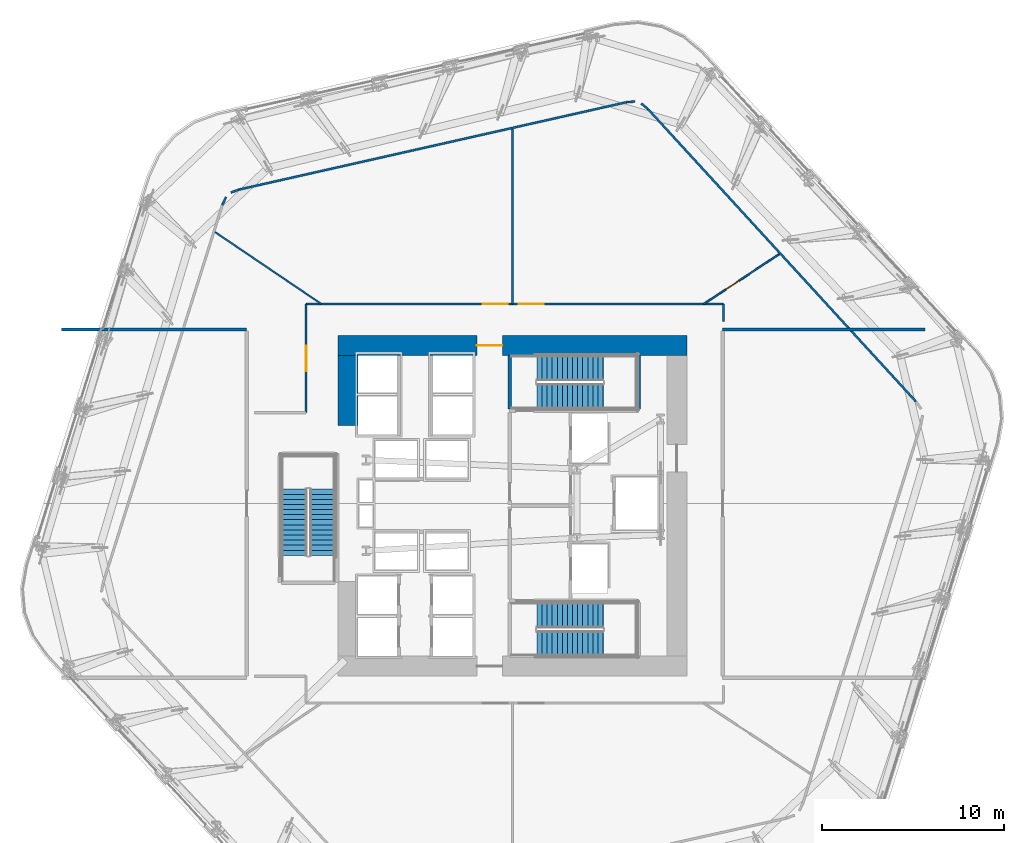
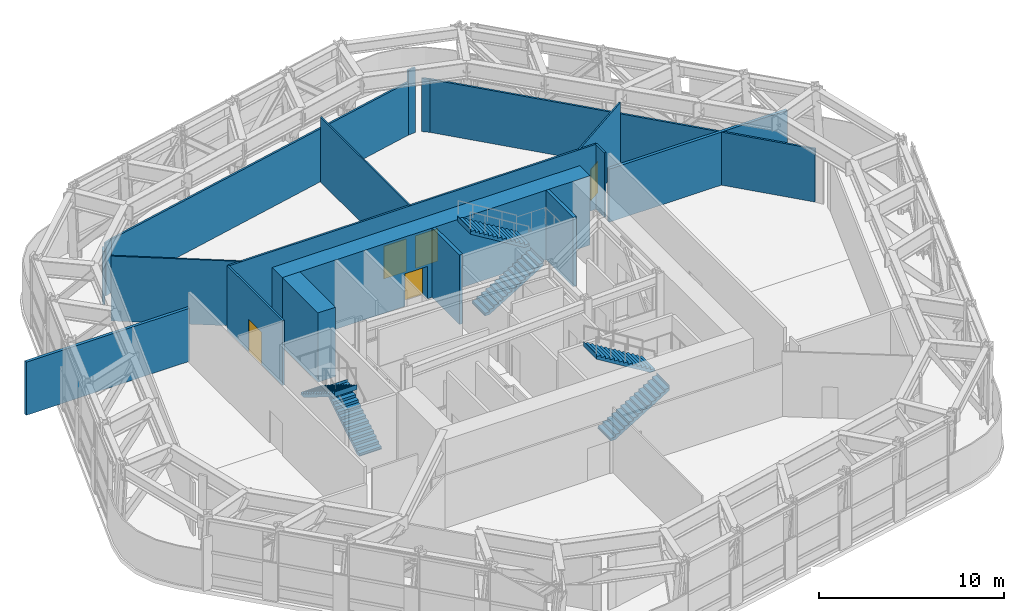
# One storey, part 10 of 16: 18 walls, 6 stair flights, 5 doors, 5 openings, 3 elements without a shape of their own.
"""IFC4 building model written with IfcOpenShell, lengths in metres."""

from ifc_helpers import new_model, si_unit, direction, frame, frame_2d, origin, place, context, subcontext, project, spatial, polyline, rectangle, outline, extrude, material, layer, layer_set, type_object, element, fill, aggregate, save


model = new_model("IFC4")

# Units and contexts
model_context = context("Model", 3, precision=1e-05, world=origin(), true_north=direction((0.0, 1.0)))
body_context = subcontext(model_context, "Body", "Model", "MODEL_VIEW")
ifc_project = project(units=[si_unit("LENGTHUNIT", "METRE"), si_unit("AREAUNIT", "SQUARE_METRE"), si_unit("VOLUMEUNIT", "CUBIC_METRE"), si_unit("PLANEANGLEUNIT", "RADIAN"), si_unit("MASSUNIT", "GRAM", prefix="KILO")], contexts=[model_context])

# Site, building, storey
site_placement = place(None, origin())
site = spatial("IfcSite", under=ifc_project, at=site_placement, CompositionType="ELEMENT")
building_placement = place(site_placement, origin())
building = spatial("IfcBuilding", under=site, at=building_placement, Name="Valkerne Bourse Tower", CompositionType="ELEMENT")
storey_placement = place(building_placement, frame((0.0, 0.0, 77.199951171875)))
storey = spatial("IfcBuildingStorey", under=building, at=storey_placement, Name="L19", CompositionType="ELEMENT", Elevation=77.199951171875)

# Wall, opening, door
ifc_material_1 = material(Name="Concrete C70/85", Category="concrete")
ifc_layer_1 = layer(ifc_material_1, 1.10009765625)
ifc_layer_set_1 = layer_set([ifc_layer_1], Name="Concrete C70/85")
wall_type_1 = type_object("IfcWallType", Name="W-CORE-1100", PredefinedType="SHEAR", material=ifc_layer_set_1)
wall_1_placement = place(storey_placement, frame((37.199951171875, 35.699951171875, 0.0), z_axis=(0.0, 0.0, 1.0), x_axis=(1.0, 0.0, 0.0)))
wall_1 = element("IfcWall", 1, at=wall_1_placement, inside=storey, type_object=wall_type_1, Name="L19 Core Shear Wall NORTH", PredefinedType="SHEAR", context=body_context, shape_type="SweptSolid", body=[
    extrude(rectangle(XDim=19.199951171875, YDim=1.10009765625, at=frame_2d((9.60009765625, 0.0))), origin(), (0.0, 0.0, 1.0), 4.580078125),
])
opening_1_placement = place(wall_1_placement, frame((7.64990234375, 0.0, 0.0)))
opening_1 = element("IfcOpeningElement", 2, at=opening_1_placement, cuts=wall_1, Name="Opening D-PL-1400", PredefinedType="OPENING", context=body_context, shape_type="SweptSolid", body=[
    extrude(rectangle(XDim=1.39990234375, YDim=2.14990234375, at=frame_2d((0.699951171875, 1.074951171875))), frame((0.0, 0.56005859375, 0.0), z_axis=(0.0, -1.0, 0.0), x_axis=(1.0, 0.0, 0.0)), (0.0, 0.0, 1.0), 1.1201171875),
])
ifc_material_2 = material(Name="Galvanised Painted Steel", Category="steel")
door_type_1 = type_object("IfcDoorType", Name="DR-PLT-1400", OperationType="DOUBLE_DOOR_SINGLE_SWING", PredefinedType="DOOR", material=ifc_material_2)
door_1_placement = place(opening_1_placement, origin())
door_1 = element("IfcDoor", 3, at=door_1_placement, inside=storey, type_object=door_type_1, Name="L19 North Passenger Lift Hall Fire Door", OperationType="DOUBLE_DOOR_SINGLE_SWING", OverallHeight=2.14990234375, OverallWidth=1.39990234375, PredefinedType="DOOR", context=body_context, shape_type="SweptSolid", body=[
    extrude(rectangle(XDim=1.39990234375, YDim=2.14990234375, at=frame_2d((0.699951171875, 1.074951171875))), frame((0.0, 0.02490234375, 0.0), z_axis=(0.0, -1.0, 0.0), x_axis=(1.0, 0.0, 0.0)), (0.0, 0.0, 1.0), 0.050048828125),
])
fill(opening_1, door_1)

# Walls
wall_2_placement = place(storey_placement, frame((37.75, 31.300048828125, 0.0), z_axis=(0.0, 0.0, 1.0), x_axis=(0.0, 1.0, 0.0)))
element("IfcWall", 4, at=wall_2_placement, inside=storey, type_object=wall_type_1, Name="L19 Core Shear Wall WEST-N", PredefinedType="SHEAR", context=body_context, shape_type="SweptSolid", body=[
    extrude(rectangle(XDim=3.849853515625, YDim=1.10009765625, at=frame_2d((1.9248046875, 0.0))), origin(), (0.0, 0.0, 1.0), 4.580078125),
])
ifc_material_3 = material(Name="Gypsum Board Steel-Stud Partition", Category="steel")
ifc_layer_2 = layer(ifc_material_3, 0.117919921875)
ifc_layer_set_2 = layer_set([ifc_layer_2], Name="Gypsum Board Steel-Stud Partition")
wall_type_2 = type_object("IfcWallType", Name="W-CORR-140", PredefinedType="PARTITIONING", material=ifc_layer_set_2)
wall_3_placement = place(storey_placement, frame((30.836181640625, 43.427490234375, 0.0), z_axis=(0.0, 0.0, 1.0), x_axis=(0.42142230696, 0.906864509834, 0.0)))
element("IfcWall", 5, at=wall_3_placement, inside=storey, type_object=wall_type_2, Name="L19 L19 Outrigger Truss Gallery Ring Wall", PredefinedType="PARTITIONING", context=body_context, shape_type="SweptSolid", body=[
    extrude(rectangle(XDim=0.484375, YDim=0.117919921875, at=frame_2d((0.2421875, 0.0))), origin(), (0.0, 0.0, 1.0), 3.503173828125),
])
wall_4_placement = place(storey_placement, frame((31.311279296875, 44.115966796875, 0.0), z_axis=(0.0, 0.0, 1.0), x_axis=(0.93915857187, 0.343483881548, 0.0)))
element("IfcWall", 6, at=wall_4_placement, inside=storey, type_object=wall_type_2, Name="L19 L19 Outrigger Truss Gallery Ring Wall", PredefinedType="PARTITIONING", context=body_context, shape_type="SweptSolid", body=[
    extrude(rectangle(XDim=0.484130859375, YDim=0.117919921875, at=frame_2d((0.2421875, 0.0))), origin(), (0.0, 0.0, 1.0), 3.503173828125),
])
wall_5_placement = place(storey_placement, frame((31.765869140625, 44.2822265625, 0.0), z_axis=(0.0, 0.0, 1.0), x_axis=(0.975521140886, 0.219905669967, 0.0)))
element("IfcWall", 7, at=wall_5_placement, inside=storey, type_object=wall_type_2, Name="L19 L19 Outrigger Truss Gallery Ring Wall", PredefinedType="PARTITIONING", context=body_context, shape_type="SweptSolid", body=[
    extrude(rectangle(XDim=21.83544921875, YDim=0.117919921875, at=frame_2d((10.917724609375, 0.0))), origin(), (0.0, 0.0, 1.0), 3.503173828125),
])
wall_6_placement = place(storey_placement, frame((53.06689453125, 49.083984375, 0.0), z_axis=(0.0, 0.0, 1.0), x_axis=(0.996055533787, 0.088732032618, 0.0)))
element("IfcWall", 8, at=wall_6_placement, inside=storey, type_object=wall_type_2, Name="L19 L19 Outrigger Truss Gallery Ring Wall", PredefinedType="PARTITIONING", context=body_context, shape_type="SweptSolid", body=[
    extrude(rectangle(XDim=0.47607421875, YDim=0.117919921875, at=frame_2d((0.238037109375, 0.0))), origin(), (0.0, 0.0, 1.0), 4.280029296875),
])
wall_7_placement = place(storey_placement, frame((53.892333984375, 49.01611328125, 0.0), z_axis=(0.0, 0.0, 1.0), x_axis=(0.767338233275, -0.641242571695, 0.0)))
element("IfcWall", 9, at=wall_7_placement, inside=storey, type_object=wall_type_2, Name="L19 L19 Outrigger Truss Gallery Ring Wall", PredefinedType="PARTITIONING", context=body_context, shape_type="SweptSolid", body=[
    extrude(rectangle(XDim=0.476318359375, YDim=0.117919921875, at=frame_2d((0.23828125, 0.0))), origin(), (0.0, 0.0, 1.0), 3.503173828125),
])
wall_8_placement = place(storey_placement, frame((54.2578125, 48.710693359375, 0.0), z_axis=(0.0, 0.0, 1.0), x_axis=(0.675544362286, -0.737319343693, 0.0)))
element("IfcWall", 10, at=wall_8_placement, inside=storey, type_object=wall_type_2, Name="L19 L19 Outrigger Truss Gallery Ring Wall", PredefinedType="PARTITIONING", context=body_context, shape_type="SweptSolid", body=[
    extrude(rectangle(XDim=21.83544921875, YDim=0.117919921875, at=frame_2d((10.917724609375, 0.0))), origin(), (0.0, 0.0, 1.0), 3.503173828125),
])

# Wall, opening, door
wall_9_placement = place(storey_placement, frame((35.449951171875, 32.0, 0.0), z_axis=(0.0, 0.0, 1.0), x_axis=(0.0, 1.0, 0.0)))
wall_9 = element("IfcWall", 11, at=wall_9_placement, inside=storey, type_object=wall_type_2, Name="L19 Corridor Enclosure Wall", PredefinedType="PARTITIONING", context=body_context, shape_type="SweptSolid", body=[
    extrude(rectangle(XDim=5.97998046875, YDim=0.117919921875, at=frame_2d((2.989990234375, 0.0))), origin(), (0.0, 0.0, 1.0), 4.280029296875),
])
opening_2_placement = place(wall_9_placement, frame((2.2900390625, 0.0, 0.0)))
opening_2 = element("IfcOpeningElement", 12, at=opening_2_placement, cuts=wall_9, Name="Opening D-PL-1400", PredefinedType="OPENING", context=body_context, shape_type="SweptSolid", body=[
    extrude(rectangle(XDim=1.39990234375, YDim=2.14990234375, at=frame_2d((0.699951171875, 1.074951171875))), frame((0.0, 0.06884765625, 0.0), z_axis=(0.0, -1.0, 0.0), x_axis=(1.0, 0.0, 0.0)), (0.0, 0.0, 1.0), 0.137939453125),
])
door_2_placement = place(opening_2_placement, origin())
door_2 = element("IfcDoor", 13, at=door_2_placement, inside=storey, type_object=door_type_1, Name="L19 L19 Chilled Water Pump & Heat-Exchanger Plant Room 7 Door", OperationType="DOUBLE_DOOR_SINGLE_SWING", OverallHeight=2.14990234375, OverallWidth=1.39990234375, PredefinedType="DOOR", context=body_context, shape_type="SweptSolid", body=[
    extrude(rectangle(XDim=1.39990234375, YDim=2.14990234375, at=frame_2d((0.699951171875, 1.074951171875))), frame((0.0, 0.02490234375, 0.0), z_axis=(0.0, -1.0, 0.0), x_axis=(1.0, 0.0, 0.0)), (0.0, 0.0, 1.0), 0.050048828125),
])
fill(opening_2, door_2)

# Wall, openings, doors
wall_10_placement = place(storey_placement, frame((35.449951171875, 37.97998046875, 0.0), z_axis=(0.0, 0.0, 1.0), x_axis=(1.0, 0.0, 0.0)))
wall_10 = element("IfcWall", 14, at=wall_10_placement, inside=storey, type_object=wall_type_2, Name="L19 Corridor Enclosure Wall", PredefinedType="PARTITIONING", context=body_context, shape_type="SweptSolid", body=[
    extrude(rectangle(XDim=22.969970703125, YDim=0.117919921875, at=frame_2d((11.48486328125, 0.0))), origin(), (0.0, 0.0, 1.0), 4.280029296875),
])
opening_3_placement = place(wall_10_placement, frame((11.68505859375, 0.0, 0.0)))
opening_3 = element("IfcOpeningElement", 15, at=opening_3_placement, cuts=wall_10, Name="Opening D-PL-1400", PredefinedType="OPENING", context=body_context, shape_type="SweptSolid", body=[
    extrude(rectangle(XDim=1.39990234375, YDim=2.14990234375, at=frame_2d((0.699951171875, 1.074951171875))), frame((0.0, 0.06884765625, 0.0), z_axis=(0.0, -1.0, 0.0), x_axis=(1.0, 0.0, 0.0)), (0.0, 0.0, 1.0), 0.137939453125),
])
opening_4_placement = place(wall_10_placement, frame((9.705078125, 0.0, 0.0)))
opening_4 = element("IfcOpeningElement", 16, at=opening_4_placement, cuts=wall_10, Name="Opening D-PL-1400", PredefinedType="OPENING", context=body_context, shape_type="SweptSolid", body=[
    extrude(rectangle(XDim=1.39990234375, YDim=2.14990234375, at=frame_2d((0.699951171875, 1.074951171875))), frame((0.0, 0.06884765625, 0.0), z_axis=(0.0, -1.0, 0.0), x_axis=(1.0, 0.0, 0.0)), (0.0, 0.0, 1.0), 0.137939453125),
])
door_3_placement = place(opening_3_placement, origin())
door_3 = element("IfcDoor", 17, at=door_3_placement, inside=storey, type_object=door_type_1, Name="L19 L19 Zone Smoke-Control & BMS Mechanical Plant Room 5 Door", OperationType="DOUBLE_DOOR_SINGLE_SWING", OverallHeight=2.14990234375, OverallWidth=1.39990234375, PredefinedType="DOOR", context=body_context, shape_type="SweptSolid", body=[
    extrude(rectangle(XDim=1.39990234375, YDim=2.14990234375, at=frame_2d((0.699951171875, 1.074951171875))), frame((0.0, 0.02490234375, 0.0), z_axis=(0.0, -1.0, 0.0), x_axis=(1.0, 0.0, 0.0)), (0.0, 0.0, 1.0), 0.050048828125),
])
fill(opening_3, door_3)
door_4_placement = place(opening_4_placement, origin())
door_4 = element("IfcDoor", 18, at=door_4_placement, inside=storey, type_object=door_type_1, Name="L19 L19 Supply & Return AHU Mechanical Plant Room 6 Door", OperationType="DOUBLE_DOOR_SINGLE_SWING", OverallHeight=2.14990234375, OverallWidth=1.39990234375, PredefinedType="DOOR", context=body_context, shape_type="SweptSolid", body=[
    extrude(rectangle(XDim=1.39990234375, YDim=2.14990234375, at=frame_2d((0.699951171875, 1.074951171875))), frame((0.0, 0.02490234375, 0.0), z_axis=(0.0, -1.0, 0.0), x_axis=(1.0, 0.0, 0.0)), (0.0, 0.0, 1.0), 0.050048828125),
])
fill(opening_4, door_4)

# Walls
wall_11_placement = place(storey_placement, frame((58.419921875, 37.97998046875, 0.0), z_axis=(0.0, 0.0, 1.0), x_axis=(0.0, -1.0, 0.0)))
element("IfcWall", 19, at=wall_11_placement, inside=storey, type_object=wall_type_2, Name="L19 Corridor Enclosure Wall", PredefinedType="PARTITIONING", context=body_context, shape_type="SweptSolid", body=[
    extrude(rectangle(XDim=0.971435546875, YDim=0.117919921875, at=frame_2d((0.48583984375, 0.0))), origin(), (0.0, 0.0, 1.0), 4.280029296875),
])
ifc_material_4 = material(Name="Gypsum Fire-Rated Shaftwall", Category="gypsum")
ifc_layer_3 = layer(ifc_material_4, 0.179931640625)
ifc_layer_set_3 = layer_set([ifc_layer_3], Name="Gypsum Fire-Rated Shaftwall")
wall_type_3 = type_object("IfcWallType", Name="W-FSAE-180", PredefinedType="PARTITIONING", material=ifc_layer_set_3)
wall_12_placement = place(storey_placement, frame((22.0, 36.580078125, 0.0), z_axis=(0.0, 0.0, 1.0), x_axis=(1.0, 0.0, 0.0)))
element("IfcWall", 20, at=wall_12_placement, inside=storey, type_object=wall_type_3, Name="L19 L19 West Sky Refuge North Wall", PredefinedType="PARTITIONING", context=body_context, shape_type="SweptSolid", body=[
    extrude(rectangle(XDim=10.179931640625, YDim=0.179931640625, at=frame_2d((5.08984375, 0.0))), origin(), (0.0, 0.0, 1.0), 3.503173828125),
])
wall_13_placement = place(storey_placement, frame((58.3701171875, 36.580078125, 0.0), z_axis=(0.0, 0.0, 1.0), x_axis=(1.0, 0.0, 0.0)))
element("IfcWall", 21, at=wall_13_placement, inside=storey, type_object=wall_type_3, Name="L19 L19 East Sky Refuge North Wall", PredefinedType="PARTITIONING", context=body_context, shape_type="SweptSolid", body=[
    extrude(rectangle(XDim=11.1298828125, YDim=0.179931640625, at=frame_2d((5.56494140625, 0.0))), origin(), (0.0, 0.0, 1.0), 3.503173828125),
])
ifc_layer_4 = layer(ifc_material_3, 0.092041015625)
ifc_layer_set_4 = layer_set([ifc_layer_4], Name="Gypsum Board Steel-Stud Partition")
wall_type_4 = type_object("IfcWallType", Name="W-PART-115", PredefinedType="PARTITIONING", material=ifc_layer_set_4)
wall_14_placement = place(storey_placement, frame((46.800048828125, 37.985107421875, 0.0), z_axis=(0.0, 0.0, 1.0), x_axis=(0.0, 1.0, 0.0)))
element("IfcWall", 22, at=wall_14_placement, inside=storey, type_object=wall_type_4, Name="L19 Suite Partition P02", PredefinedType="PARTITIONING", context=body_context, shape_type="SweptSolid", body=[
    extrude(rectangle(XDim=9.614501953125, YDim=0.092041015625, at=frame_2d((4.80712890625, 0.0))), origin(), (0.0, 0.0, 1.0), 4.280029296875),
])
wall_15_placement = place(storey_placement, frame((36.282958984375, 37.985107421875, 0.0), z_axis=(0.0, 0.0, 1.0), x_axis=(-0.828282940728, 0.560310066034, 0.0)))
element("IfcWall", 23, at=wall_15_placement, inside=storey, type_object=wall_type_4, Name="L19 Suite Partition P04", PredefinedType="PARTITIONING", context=body_context, shape_type="SweptSolid", body=[
    extrude(rectangle(XDim=7.054443359375, YDim=0.092041015625, at=frame_2d((3.52734375, 0.0))), origin(), (0.0, 0.0, 1.0), 4.280029296875),
])

# Wall, opening, door
wall_16_placement = place(storey_placement, frame((57.333740234375, 37.985107421875, 0.0), z_axis=(0.0, 0.0, 1.0), x_axis=(0.834258243895, 0.551373904436, 0.0)))
wall_16 = element("IfcWall", 24, at=wall_16_placement, inside=storey, type_object=wall_type_4, Name="L19 Suite Partition P06", PredefinedType="PARTITIONING", context=body_context, shape_type="SweptSolid", body=[
    extrude(rectangle(XDim=4.969482421875, YDim=0.092041015625, at=frame_2d((2.48486328125, 0.0))), origin(), (0.0, 0.0, 1.0), 4.280029296875),
])
opening_5_placement = place(wall_16_placement, frame((1.438232421875, 0.0, 0.0)))
opening_5 = element("IfcOpeningElement", 25, at=opening_5_placement, cuts=wall_16, Name="Opening D-WC-900", PredefinedType="OPENING", context=body_context, shape_type="SweptSolid", body=[
    extrude(rectangle(XDim=0.860107421875, YDim=2.050048828125, at=frame_2d((0.43017578125, 1.02490234375))), frame((0.0, 0.055908203125, 0.0), z_axis=(0.0, -1.0, 0.0), x_axis=(1.0, 0.0, 0.0)), (0.0, 0.0, 1.0), 0.112060546875),
])
ifc_material_5 = material(Name="Architectural White Oak Timber", Category="wood")
door_type_2 = type_object("IfcDoorType", Name="DR-WC-900", OperationType="NOTDEFINED", PredefinedType="DOOR", material=ifc_material_5)
door_5_placement = place(opening_5_placement, origin())
door_5 = element("IfcDoor", 26, at=door_5_placement, inside=storey, type_object=door_type_2, Name="L19 L19 Sprinkler Reserve & Booster Pump Plant Room 4 Suite Door", OperationType="SINGLE_SWING_LEFT", OverallHeight=2.050048828125, OverallWidth=0.860107421875, PredefinedType="DOOR", context=body_context, shape_type="SweptSolid", body=[
    extrude(rectangle(XDim=0.860107421875, YDim=2.050048828125, at=frame_2d((0.43017578125, 1.02490234375))), frame((0.0, 0.02490234375, 0.0), z_axis=(0.0, -1.0, 0.0), x_axis=(1.0, 0.0, 0.0)), (0.0, 0.0, 1.0), 0.050048828125),
])
fill(opening_5, door_5)

# Walls
ifc_material_6 = material(Name="Concrete C40/50", Category="concrete")
ifc_layer_5 = layer(ifc_material_6, 0.199951171875)
ifc_layer_set_5 = layer_set([ifc_layer_5], Name="Concrete C40/50")
wall_type_5 = type_object("IfcWallType", Name="W-SHF-200", PredefinedType="SHEAR", material=ifc_layer_set_5)
for number, where, z_axis, x_axis, name in (
    (27, (46.64990234375, 32.199951171875, 0.0), (0.0, 0.0, 1.0), (0.0, 1.0, 0.0), "L19 Exit Stair ST-2 Structural Shaft Wall West"),
    (28, (53.75, 32.199951171875, 0.0), (0.0, 0.0, 1.0), (0.0, 1.0, 0.0), "L19 Exit Stair ST-2 Structural Shaft Wall East"),
):
    element("IfcWall", number, at=place(storey_placement, frame(where, z_axis=z_axis, x_axis=x_axis)), inside=storey, type_object=wall_type_5, Name=name, PredefinedType="SHEAR", context=body_context, shape_type="SweptSolid", body=[
        extrude(rectangle(XDim=2.949951171875, YDim=0.199951171875, at=frame_2d((1.47509765625, 0.0))), origin(), (0.0, 0.0, 1.0), 4.580078125),
    ])

# Stair, stair flights
stair_type = type_object("IfcStairType", Name="ST-CORE-1400", PredefinedType="HALF_TURN_STAIR", material=ifc_material_6)
stair_1_placement = place(storey_placement, origin())
stair_1 = element("IfcStair", 29, at=stair_1_placement, inside=storey, type_object=stair_type, Name="L19 ST-1", PredefinedType="HALF_TURN_STAIR")
stair_flight_type = type_object("IfcStairFlightType", Name="STF-CORE-1400", PredefinedType="STRAIGHT", material=ifc_material_6)
stair_flight_1_placement = place(storey_placement, frame((48.14990234375, 19.300048828125, 0.0), z_axis=(0.0, 0.0, 1.0), x_axis=(1.0, 0.0, 0.0)))
stair_flight_1 = element("IfcStairFlight", 30, at=stair_flight_1_placement, type_object=stair_flight_type, Name="ST-1 flight 1", NumberOfRisers=14, NumberOfTreads=13, PredefinedType="STRAIGHT", RiserHeight=0.171428571, TreadLength=0.28, context=body_context, shape_type="SweptSolid", body=[
    extrude(outline(polyline([(-0.02001953125, 0.0), (-0.02001953125, 0.044921875), (0.0, 0.044921875), (0.0, 0.17138671875), (0.280029296875, 0.17138671875), (0.280029296875, 0.3427734375), (0.56005859375, 0.3427734375), (0.56005859375, 0.514404296875), (0.840087890625, 0.514404296875), (0.840087890625, 0.685791015625), (1.1201171875, 0.685791015625), (1.1201171875, 0.857177734375), (1.39990234375, 0.857177734375), (1.39990234375, 1.028564453125), (1.679931640625, 1.028564453125), (1.679931640625, 1.199951171875), (1.9599609375, 1.199951171875), (1.9599609375, 1.371337890625), (2.239990234375, 1.371337890625), (2.239990234375, 1.54296875), (2.52001953125, 1.54296875), (2.52001953125, 1.71435546875), (2.800048828125, 1.71435546875), (2.800048828125, 1.8857421875), (3.080078125, 1.8857421875), (3.080078125, 2.05712890625), (3.360107421875, 2.05712890625), (3.360107421875, 2.228515625), (3.639892578125, 2.228515625), (3.639892578125, 2.39990234375), (3.659912109375, 2.39990234375), (3.659912109375, 2.280029296875), (3.639892578125, 2.052734375), (0.287109375, 0.0), (-0.02001953125, 0.0)])), frame((0.0, 0.699951171875, 0.0), z_axis=(0.0, -1.0, 0.0), x_axis=(1.0, 0.0, 0.0)), (0.0, 0.0, 1.0), 1.39990234375),
])
stair_flight_2_placement = place(storey_placement, frame((51.7900390625, 20.85009765625, 2.400146484375), z_axis=(0.0, 0.0, 1.0), x_axis=(-1.0, 0.0, 0.0)))
stair_flight_2 = element("IfcStairFlight", 31, at=stair_flight_2_placement, type_object=stair_flight_type, Name="ST-1 flight 2", NumberOfRisers=14, NumberOfTreads=13, PredefinedType="STRAIGHT", RiserHeight=0.171428571, TreadLength=0.28, context=body_context, shape_type="SweptSolid", body=[
    extrude(outline(polyline([(-0.02001953125, 0.0), (-0.02001953125, 0.044921875), (0.0, 0.044921875), (0.0, 0.17138671875), (0.280029296875, 0.17138671875), (0.280029296875, 0.3427734375), (0.56005859375, 0.3427734375), (0.56005859375, 0.514404296875), (0.840087890625, 0.514404296875), (0.840087890625, 0.685791015625), (1.1201171875, 0.685791015625), (1.1201171875, 0.857177734375), (1.39990234375, 0.857177734375), (1.39990234375, 1.028564453125), (1.679931640625, 1.028564453125), (1.679931640625, 1.199951171875), (1.9599609375, 1.199951171875), (1.9599609375, 1.371337890625), (2.239990234375, 1.371337890625), (2.239990234375, 1.54296875), (2.52001953125, 1.54296875), (2.52001953125, 1.71435546875), (2.800048828125, 1.71435546875), (2.800048828125, 1.8857421875), (3.080078125, 1.8857421875), (3.080078125, 2.05712890625), (3.360107421875, 2.05712890625), (3.360107421875, 2.228515625), (3.639892578125, 2.228515625), (3.639892578125, 2.39990234375), (3.659912109375, 2.39990234375), (3.659912109375, 2.280029296875), (3.639892578125, 2.052734375), (0.287109375, 0.0), (-0.02001953125, 0.0)])), frame((0.0, 0.699951171875, 0.0), z_axis=(0.0, -1.0, 0.0), x_axis=(1.0, 0.0, 0.0)), (0.0, 0.0, 1.0), 1.39990234375),
])
aggregate(stair_1, [stair_flight_1, stair_flight_2])

stair_2_placement = place(storey_placement, origin())
stair_2 = element("IfcStair", 32, at=stair_2_placement, inside=storey, type_object=stair_type, Name="L19 ST-2", PredefinedType="HALF_TURN_STAIR")
stair_flight_3_placement = place(storey_placement, frame((48.14990234375, 32.89990234375, 0.0), z_axis=(0.0, 0.0, 1.0), x_axis=(1.0, 0.0, 0.0)))
stair_flight_3 = element("IfcStairFlight", 33, at=stair_flight_3_placement, type_object=stair_flight_type, Name="ST-2 flight 1", NumberOfRisers=14, NumberOfTreads=13, PredefinedType="STRAIGHT", RiserHeight=0.171428571, TreadLength=0.28, context=body_context, shape_type="SweptSolid", body=[
    extrude(outline(polyline([(-0.02001953125, 0.0), (-0.02001953125, 0.044921875), (0.0, 0.044921875), (0.0, 0.17138671875), (0.280029296875, 0.17138671875), (0.280029296875, 0.3427734375), (0.56005859375, 0.3427734375), (0.56005859375, 0.514404296875), (0.840087890625, 0.514404296875), (0.840087890625, 0.685791015625), (1.1201171875, 0.685791015625), (1.1201171875, 0.857177734375), (1.39990234375, 0.857177734375), (1.39990234375, 1.028564453125), (1.679931640625, 1.028564453125), (1.679931640625, 1.199951171875), (1.9599609375, 1.199951171875), (1.9599609375, 1.371337890625), (2.239990234375, 1.371337890625), (2.239990234375, 1.54296875), (2.52001953125, 1.54296875), (2.52001953125, 1.71435546875), (2.800048828125, 1.71435546875), (2.800048828125, 1.8857421875), (3.080078125, 1.8857421875), (3.080078125, 2.05712890625), (3.360107421875, 2.05712890625), (3.360107421875, 2.228515625), (3.639892578125, 2.228515625), (3.639892578125, 2.39990234375), (3.659912109375, 2.39990234375), (3.659912109375, 2.280029296875), (3.639892578125, 2.052734375), (0.287109375, 0.0), (-0.02001953125, 0.0)])), frame((0.0, 0.699951171875, 0.0), z_axis=(0.0, -1.0, 0.0), x_axis=(1.0, 0.0, 0.0)), (0.0, 0.0, 1.0), 1.39990234375),
])
stair_flight_4_placement = place(storey_placement, frame((51.7900390625, 34.449951171875, 2.400146484375), z_axis=(0.0, 0.0, 1.0), x_axis=(-1.0, 0.0, 0.0)))
stair_flight_4 = element("IfcStairFlight", 34, at=stair_flight_4_placement, type_object=stair_flight_type, Name="ST-2 flight 2", NumberOfRisers=14, NumberOfTreads=13, PredefinedType="STRAIGHT", RiserHeight=0.171428571, TreadLength=0.28, context=body_context, shape_type="SweptSolid", body=[
    extrude(outline(polyline([(-0.02001953125, 0.0), (-0.02001953125, 0.044921875), (0.0, 0.044921875), (0.0, 0.17138671875), (0.280029296875, 0.17138671875), (0.280029296875, 0.3427734375), (0.56005859375, 0.3427734375), (0.56005859375, 0.514404296875), (0.840087890625, 0.514404296875), (0.840087890625, 0.685791015625), (1.1201171875, 0.685791015625), (1.1201171875, 0.857177734375), (1.39990234375, 0.857177734375), (1.39990234375, 1.028564453125), (1.679931640625, 1.028564453125), (1.679931640625, 1.199951171875), (1.9599609375, 1.199951171875), (1.9599609375, 1.371337890625), (2.239990234375, 1.371337890625), (2.239990234375, 1.54296875), (2.52001953125, 1.54296875), (2.52001953125, 1.71435546875), (2.800048828125, 1.71435546875), (2.800048828125, 1.8857421875), (3.080078125, 1.8857421875), (3.080078125, 2.05712890625), (3.360107421875, 2.05712890625), (3.360107421875, 2.228515625), (3.639892578125, 2.228515625), (3.639892578125, 2.39990234375), (3.659912109375, 2.39990234375), (3.659912109375, 2.280029296875), (3.639892578125, 2.052734375), (0.287109375, 0.0), (-0.02001953125, 0.0)])), frame((0.0, 0.699951171875, 0.0), z_axis=(0.0, -1.0, 0.0), x_axis=(1.0, 0.0, 0.0)), (0.0, 0.0, 1.0), 1.39990234375),
])
aggregate(stair_2, [stair_flight_3, stair_flight_4])

stair_3_placement = place(storey_placement, origin())
stair_3 = element("IfcStair", 35, at=stair_3_placement, inside=storey, type_object=stair_type, Name="L19 ST-3", PredefinedType="HALF_TURN_STAIR")
stair_flight_5_placement = place(storey_placement, frame((36.35009765625, 24.14990234375, 0.0), z_axis=(0.0, 0.0, 1.0), x_axis=(0.0, 1.0, 0.0)))
stair_flight_5 = element("IfcStairFlight", 36, at=stair_flight_5_placement, type_object=stair_flight_type, Name="ST-3 flight 1", NumberOfRisers=14, NumberOfTreads=13, PredefinedType="STRAIGHT", RiserHeight=0.171428571, TreadLength=0.28, context=body_context, shape_type="SweptSolid", body=[
    extrude(outline(polyline([(-0.02001953125, 0.0), (-0.02001953125, 0.044921875), (0.0, 0.044921875), (0.0, 0.17138671875), (0.280029296875, 0.17138671875), (0.280029296875, 0.3427734375), (0.56005859375, 0.3427734375), (0.56005859375, 0.514404296875), (0.840087890625, 0.514404296875), (0.840087890625, 0.685791015625), (1.1201171875, 0.685791015625), (1.1201171875, 0.857177734375), (1.39990234375, 0.857177734375), (1.39990234375, 1.028564453125), (1.679931640625, 1.028564453125), (1.679931640625, 1.199951171875), (1.9599609375, 1.199951171875), (1.9599609375, 1.371337890625), (2.239990234375, 1.371337890625), (2.239990234375, 1.54296875), (2.52001953125, 1.54296875), (2.52001953125, 1.71435546875), (2.800048828125, 1.71435546875), (2.800048828125, 1.8857421875), (3.080078125, 1.8857421875), (3.080078125, 2.05712890625), (3.360107421875, 2.05712890625), (3.360107421875, 2.228515625), (3.639892578125, 2.228515625), (3.639892578125, 2.39990234375), (3.659912109375, 2.39990234375), (3.659912109375, 2.280029296875), (3.639892578125, 2.052734375), (0.287109375, 0.0), (-0.02001953125, 0.0)])), frame((0.0, 0.699951171875, 0.0), z_axis=(0.0, -1.0, 0.0), x_axis=(1.0, 0.0, 0.0)), (0.0, 0.0, 1.0), 1.39990234375),
])
stair_flight_6_placement = place(storey_placement, frame((34.800048828125, 27.7900390625, 2.400146484375), z_axis=(0.0, 0.0, 1.0), x_axis=(0.0, -1.0, 0.0)))
stair_flight_6 = element("IfcStairFlight", 37, at=stair_flight_6_placement, type_object=stair_flight_type, Name="ST-3 flight 2", NumberOfRisers=14, NumberOfTreads=13, PredefinedType="STRAIGHT", RiserHeight=0.171428571, TreadLength=0.28, context=body_context, shape_type="SweptSolid", body=[
    extrude(outline(polyline([(-0.02001953125, 0.0), (-0.02001953125, 0.044921875), (0.0, 0.044921875), (0.0, 0.17138671875), (0.280029296875, 0.17138671875), (0.280029296875, 0.3427734375), (0.56005859375, 0.3427734375), (0.56005859375, 0.514404296875), (0.840087890625, 0.514404296875), (0.840087890625, 0.685791015625), (1.1201171875, 0.685791015625), (1.1201171875, 0.857177734375), (1.39990234375, 0.857177734375), (1.39990234375, 1.028564453125), (1.679931640625, 1.028564453125), (1.679931640625, 1.199951171875), (1.9599609375, 1.199951171875), (1.9599609375, 1.371337890625), (2.239990234375, 1.371337890625), (2.239990234375, 1.54296875), (2.52001953125, 1.54296875), (2.52001953125, 1.71435546875), (2.800048828125, 1.71435546875), (2.800048828125, 1.8857421875), (3.080078125, 1.8857421875), (3.080078125, 2.05712890625), (3.360107421875, 2.05712890625), (3.360107421875, 2.228515625), (3.639892578125, 2.228515625), (3.639892578125, 2.39990234375), (3.659912109375, 2.39990234375), (3.659912109375, 2.280029296875), (3.639892578125, 2.052734375), (0.287109375, 0.0), (-0.02001953125, 0.0)])), frame((0.0, 0.699951171875, 0.0), z_axis=(0.0, -1.0, 0.0), x_axis=(1.0, 0.0, 0.0)), (0.0, 0.0, 1.0), 1.39990234375),
])
aggregate(stair_3, [stair_flight_5, stair_flight_6])

save(model, "model.ifc")
